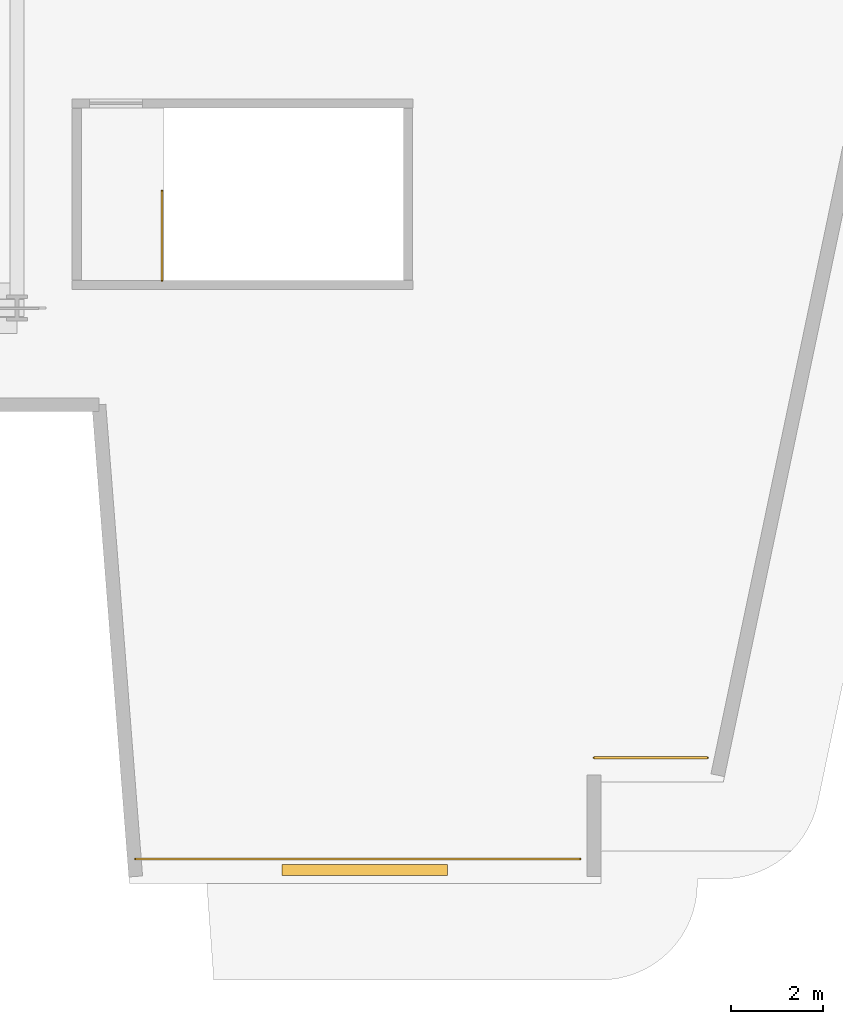
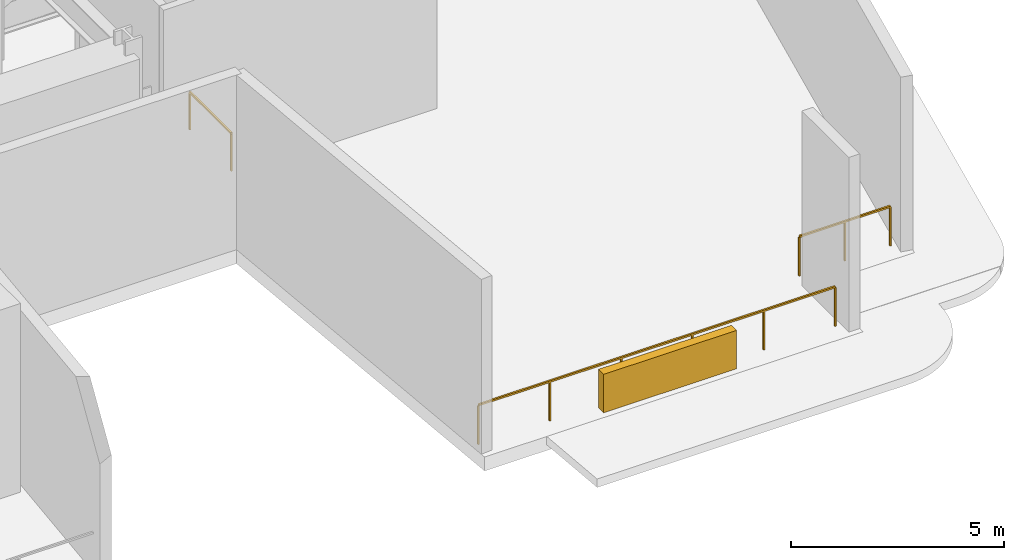
# One storey, part 8 of 9: 3 railings, 1 shading device.
"""IFC4 building model written with IfcOpenShell, lengths in metres."""

from ifc_helpers import new_model, si_unit, direction, frame, origin, origin_2d, place, context, subcontext, project, spatial, rectangle, extrude, material, layer, layer_set, type_object, element, save


model = new_model("IFC4")

# Units and contexts
model_context = context("Model", 3, precision=1e-05, world=origin(), true_north=direction((0.0, 1.0)))
body_context = subcontext(model_context, "Body", "Model", "MODEL_VIEW")
ifc_project = project(units=[si_unit("LENGTHUNIT", "METRE"), si_unit("AREAUNIT", "SQUARE_METRE"), si_unit("VOLUMEUNIT", "CUBIC_METRE"), si_unit("PLANEANGLEUNIT", "RADIAN"), si_unit("MASSUNIT", "GRAM", prefix="KILO")], contexts=[model_context])

# Site, building, storey
site_placement = place(None, origin())
site = spatial("IfcSite", under=ifc_project, at=site_placement, CompositionType="ELEMENT")
building_placement = place(site_placement, origin())
building = spatial("IfcBuilding", under=site, at=building_placement, Name="Caeloran Harvest Quay", CompositionType="ELEMENT")
storey_placement = place(building_placement, frame((0.0, 0.0, 21.60009765625)))
storey = spatial("IfcBuildingStorey", under=building, at=storey_placement, Name="L05", CompositionType="ELEMENT", Elevation=21.60009765625)

# Railings
ifc_material_1 = material(Name="Laminated Safety Glass and Stainless Steel 316", Category="steel")
ifc_layer_1 = layer(ifc_material_1, 0.06005859375, Name="Laminated Safety Glass and Stainless Steel 316")
ifc_layer_set_1 = layer_set([ifc_layer_1], Name="Laminated Safety Glass and Stainless Steel 316")
railing_type_1 = type_object("IfcRailingType", Name="GUARD-BALUSTRADE-1150", PredefinedType="BALUSTRADE", material=ifc_layer_set_1)
railing_1_placement = place(storey_placement, frame((49.000732421875, 5.22998046875, 0.0)))
element("IfcRailing", 1, at=railing_1_placement, inside=storey, type_object=railing_type_1, Name="L05 Open Refuge and Wind-Slot Perimeter Balustrade 10", PredefinedType="BALUSTRADE", context=body_context, shape_type="SweptSolid", body=[
    extrude(rectangle(XDim=0.048095703125, YDim=0.048095703125, at=origin_2d()), frame((0.0, 0.0, 1.1259765625), z_axis=(-1.0, 0.0, 0.0), x_axis=(0.0, -1.0, 0.0)), (0.0, 0.0, 1.0), 2.463623046875),
    extrude(rectangle(XDim=0.0419921875, YDim=0.0419921875, at=origin_2d()), origin(), (0.0, 0.0, 1.0), 1.101806640625),
    extrude(rectangle(XDim=0.0419921875, YDim=0.0419921875, at=origin_2d()), frame((-1.23193359375, 0.0, 0.0)), (0.0, 0.0, 1.0), 1.101806640625),
    extrude(rectangle(XDim=0.0419921875, YDim=0.0419921875, at=origin_2d()), frame((-2.463623046875, 0.0, 0.0)), (0.0, 0.0, 1.0), 1.101806640625),
])
railing_2_placement = place(storey_placement, frame((46.237060546875, 3.030029296875, 0.0)))
element("IfcRailing", 2, at=railing_2_placement, inside=storey, type_object=railing_type_1, Name="L05 Open Refuge and Wind-Slot Perimeter Balustrade 12", PredefinedType="BALUSTRADE", context=body_context, shape_type="SweptSolid", body=[
    extrude(rectangle(XDim=0.048095703125, YDim=0.048095703125, at=origin_2d()), frame((0.0, 0.0, 1.1259765625), z_axis=(-1.0, 0.0, 0.0), x_axis=(0.0, -1.0, 0.0)), (0.0, 0.0, 1.0), 9.657958984375),
    extrude(rectangle(XDim=0.0419921875, YDim=0.0419921875, at=origin_2d()), origin(), (0.0, 0.0, 1.0), 1.101806640625),
    extrude(rectangle(XDim=0.0419921875, YDim=0.0419921875, at=origin_2d()), frame((-1.931640625, 0.0, 0.0)), (0.0, 0.0, 1.0), 1.101806640625),
    extrude(rectangle(XDim=0.0419921875, YDim=0.0419921875, at=origin_2d()), frame((-3.86328125, 0.0, 0.0)), (0.0, 0.0, 1.0), 1.101806640625),
    extrude(rectangle(XDim=0.0419921875, YDim=0.0419921875, at=origin_2d()), frame((-5.794677734375, 0.0, 0.0)), (0.0, 0.0, 1.0), 1.101806640625),
    extrude(rectangle(XDim=0.0419921875, YDim=0.0419921875, at=origin_2d()), frame((-7.726318359375, 0.0, 0.0)), (0.0, 0.0, 1.0), 1.101806640625),
    extrude(rectangle(XDim=0.0419921875, YDim=0.0419921875, at=origin_2d()), frame((-9.657958984375, 0.0, 0.0)), (0.0, 0.0, 1.0), 1.101806640625),
])

# Shading device
ifc_material_2 = material(Name="6063-T6 Extruded Aluminium Acoustic Weather Louvre", Category="aluminium")
shading_device_type = type_object("IfcShadingDeviceType", Name="SHADE-LOUVRE-PLANT", PredefinedType="JALOUSIE", material=ifc_material_2)
shading_device_placement = place(storey_placement, frame((41.55810546875, 2.7900390625, -0.000244140625), z_axis=(0.0, 0.0, 1.0), x_axis=(-1.0, 0.0, 0.0)))
element("IfcShadingDevice", 3, at=shading_device_placement, inside=storey, type_object=shading_device_type, Name="L05 Acoustic Weather Louvre 12", PredefinedType="JALOUSIE", context=body_context, shape_type="SweptSolid", body=[
    extrude(rectangle(XDim=3.60009765625, YDim=0.239990234375, at=origin_2d()), origin(), (0.0, 0.0, 1.0), 1.10009765625),
])

# Railing
ifc_material_3 = material(Name="Painted Steel Baluster and Top-Rail Stair Guard", Category="steel")
ifc_layer_2 = layer(ifc_material_3, 0.050048828125, Name="Painted Steel Baluster and Top-Rail Stair Guard")
ifc_layer_set_2 = layer_set([ifc_layer_2], Name="Painted Steel Baluster and Top-Rail Stair Guard")
railing_type_2 = type_object("IfcRailingType", Name="STAIR-GUARD-1100", PredefinedType="GUARDRAIL", material=ifc_layer_set_2)
railing_3_placement = place(storey_placement, frame((37.14990234375, 15.60009765625, 0.0)))
element("IfcRailing", 4, at=railing_3_placement, inside=storey, type_object=railing_type_2, Name="L05 ST-P2 top well guard 1", PredefinedType="GUARDRAIL", context=body_context, shape_type="SweptSolid", body=[
    extrude(rectangle(XDim=0.048095703125, YDim=0.048095703125, at=origin_2d()), frame((0.0, 0.0, 1.076171875), z_axis=(0.0, 1.0, 0.0), x_axis=(-1.0, 0.0, 0.0)), (0.0, 0.0, 1.0), 1.949951171875),
    extrude(rectangle(XDim=0.0419921875, YDim=0.0419921875, at=origin_2d()), origin(), (0.0, 0.0, 1.0), 1.052001953125),
    extrude(rectangle(XDim=0.0419921875, YDim=0.0419921875, at=origin_2d()), frame((0.0, 1.949951171875, 0.0)), (0.0, 0.0, 1.0), 1.052001953125),
])

save(model, "model.ifc")
